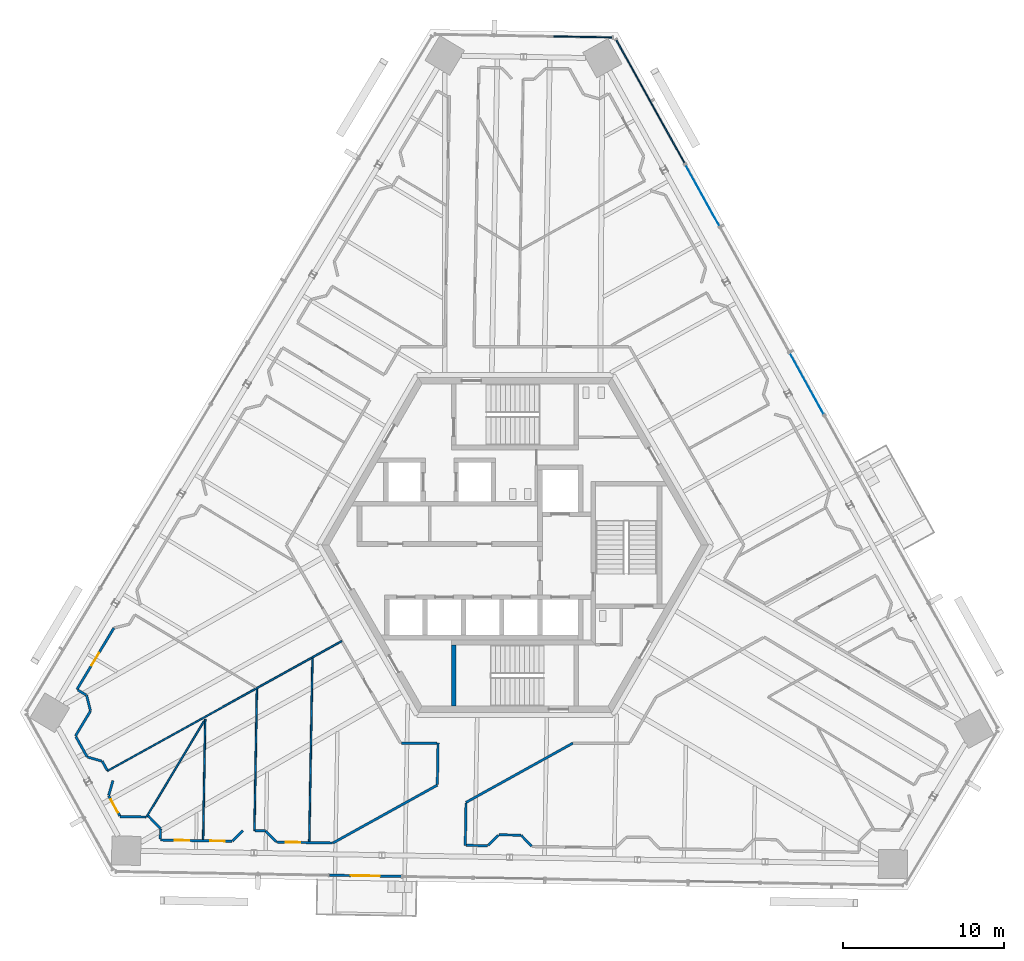
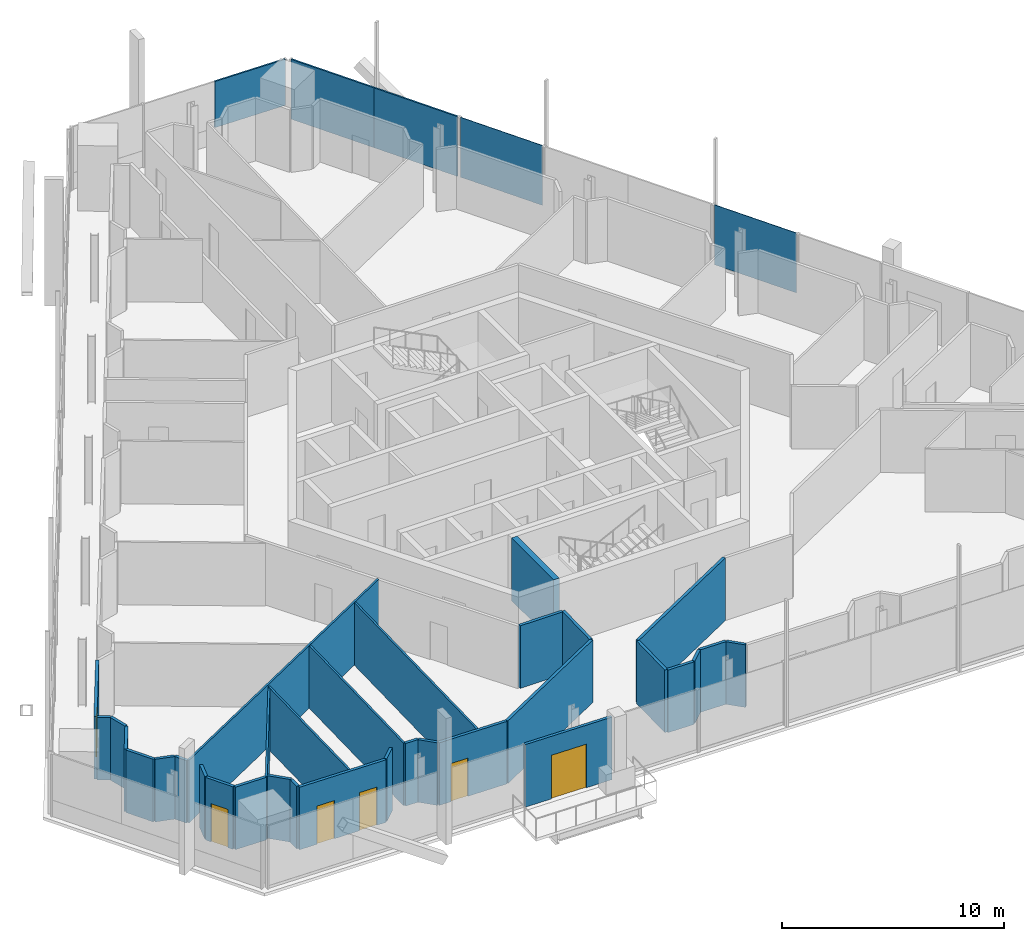
# One storey, part 11 of 22: 33 walls, 6 doors, 5 plates, 6 openings, 4 elements without a shape of their own.
"""IFC4 building model written with IfcOpenShell, lengths in metres."""

import ifcopenshell
import ifcopenshell.guid

model = None  # the IFC model being written
_history = None  # IfcOwnerHistory: only IFC2X3 demands one
_inside = {}  # id of a spatial element -> (the spatial element, [elements in it])
_under = {}  # id of a project, library or spatial element -> (it, [spatial elements below it])
_declared = {}  # id of a project -> (the project, [libraries it declares])
_typed = {}  # id of a type object -> (the type object, [elements of that type])
_made_of = {}  # id of a material, layer set ... -> (it, [elements and type objects made of it])


def new_model(schema):
    """Start an empty IFC model of exactly this schema.

    Asked for "IFC4X3", IfcOpenShell would pick the latest addendum, in which some entities
    have other attributes; the version numbers below select the first issue.
    IFC2X3 requires an IfcOwnerHistory on every rooted entity: one is made here for all.
    """
    global model, _history
    if schema == "IFC4X3":
        model = ifcopenshell.file(schema_version=(4, 3, 0, 0))
    else:
        model = ifcopenshell.file(schema=schema)
    _inside.clear()
    _under.clear()
    _declared.clear()
    _typed.clear()
    _made_of.clear()
    _history = None
    if model.schema == "IFC2X3":
        org = make("IfcOrganization", Name="unknown")
        user = make(
            "IfcPersonAndOrganization",
            ThePerson=make("IfcPerson", FamilyName="unknown"),
            TheOrganization=org,
        )
        app = make(
            "IfcApplication",
            ApplicationDeveloper=org,
            Version="unknown",
            ApplicationFullName="unknown",
            ApplicationIdentifier="unknown",
        )
        _history = make(
            "IfcOwnerHistory",
            OwningUser=user,
            OwningApplication=app,
            ChangeAction="ADDED",
            CreationDate=0,
        )
    return model


def make(cls, **values):
    """One entity of the class cls with the attributes given. An attribute that is None is left unset."""
    return model.create_entity(
        cls, **{name: value for name, value in values.items() if value is not None}
    )


def rooted(cls, **values):
    """An entity with a GlobalId (a new one), such as an element, a storey or a relation."""
    return make(cls, GlobalId=ifcopenshell.guid.new(), OwnerHistory=_history, **values)


def si_unit(unit_type, name, prefix=None):
    """IfcSIUnit, for example si_unit("LENGTHUNIT", "METRE", prefix="MILLI")."""
    return make("IfcSIUnit", UnitType=unit_type, Prefix=prefix, Name=name)


def assignment(units):
    """IfcUnitAssignment: the units of a project."""
    return None if units is None else make("IfcUnitAssignment", Units=units)


def point(xyz):
    """IfcCartesianPoint."""
    return None if xyz is None else make("IfcCartesianPoint", Coordinates=xyz)


def direction(xyz):
    """IfcDirection."""
    return None if xyz is None else make("IfcDirection", DirectionRatios=xyz)


def frame(location, z_axis=None, x_axis=None):
    """IfcAxis2Placement3D, a coordinate frame: its origin and axes. An axis left out is left unset."""
    return make(
        "IfcAxis2Placement3D",
        Location=point(location),
        Axis=direction(z_axis),
        RefDirection=direction(x_axis),
    )


def frame_2d(location, x_axis=None):
    """IfcAxis2Placement2D, a coordinate frame in the plane: its origin and x axis."""
    return make(
        "IfcAxis2Placement2D", Location=point(location), RefDirection=direction(x_axis)
    )


def origin():
    """The frame at (0, 0, 0) with its axes left unset."""
    return frame((0.0, 0.0, 0.0))


def origin_2d():
    """The frame at (0, 0) in the plane with its x axis left unset."""
    return frame_2d((0.0, 0.0))


def place(relative_to, where):
    """IfcLocalPlacement: puts the frame where relative to a parent placement (None: the world)."""
    return make(
        "IfcLocalPlacement", PlacementRelTo=relative_to, RelativePlacement=where
    )


def context(
    kind, dimensions, precision=None, world=None, true_north=None, identifier=None
):
    """IfcGeometricRepresentationContext, for example the 3D "Model" context."""
    return make(
        "IfcGeometricRepresentationContext",
        ContextIdentifier=identifier,
        ContextType=kind,
        CoordinateSpaceDimension=dimensions,
        Precision=precision,
        WorldCoordinateSystem=world,
        TrueNorth=true_north,
    )


def subcontext(parent, identifier, kind, view, scale=None):
    """IfcGeometricRepresentationSubContext, for example "Body" below "Model"."""
    return make(
        "IfcGeometricRepresentationSubContext",
        ContextIdentifier=identifier,
        ContextType=kind,
        ParentContext=parent,
        TargetScale=scale,
        TargetView=view,
    )


def project(units=None, contexts=None):
    """IfcProject with its units and contexts."""
    return rooted(
        "IfcProject",
        Name="project",
        RepresentationContexts=contexts,
        UnitsInContext=assignment(units),
    )


def spatial(cls, under=None, at=None, **own):
    """A site, building, storey or space (cls), placed at a placement, below another one or the project."""
    s = rooted(cls, ObjectPlacement=at, **own)
    if under is not None:
        _under.setdefault(under.id(), (under, []))[1].append(s)
    return s


def polyline(points):
    """IfcPolyline through the points."""
    return make("IfcPolyline", Points=[point(p) for p in points])


def profile(cls, at=None, kind="AREA", **sizes):
    """A parametric profile (cls). Its sizes go by their IFC names, for example OverallWidth=200.0."""
    return make(cls, ProfileType=kind, Position=at, **sizes)


def rectangle(**sizes):
    """IfcRectangleProfileDef."""
    return profile("IfcRectangleProfileDef", **sizes)


def outline(outer, holes=None, kind="AREA"):
    """IfcArbitraryClosedProfileDef: a profile drawn as a closed curve; with holes, ...WithVoids."""
    if holes is None:
        return make("IfcArbitraryClosedProfileDef", ProfileType=kind, OuterCurve=outer)
    return make(
        "IfcArbitraryProfileDefWithVoids",
        ProfileType=kind,
        OuterCurve=outer,
        InnerCurves=holes,
    )


def extrude(swept, where, along, depth):
    """IfcExtrudedAreaSolid: the profile swept, set in the frame where, extruded along a direction by depth."""
    return make(
        "IfcExtrudedAreaSolid",
        SweptArea=swept,
        Position=where,
        ExtrudedDirection=direction(along),
        Depth=depth,
    )


def shape(context_of_items, identifier, shape_type, items):
    """IfcShapeRepresentation: the items that make up one representation, for example the "Body"."""
    return make(
        "IfcShapeRepresentation",
        ContextOfItems=context_of_items,
        RepresentationIdentifier=identifier,
        RepresentationType=shape_type,
        Items=items,
    )


def source(mapping_origin, context_of_items, identifier, shape_type, items):
    """IfcRepresentationMap: a shape defined once, which mapped items show again and again."""
    return make(
        "IfcRepresentationMap",
        MappingOrigin=mapping_origin,
        MappedRepresentation=shape(context_of_items, identifier, shape_type, items),
    )


def transform(
    local_origin,
    x_axis=None,
    y_axis=None,
    z_axis=None,
    scale=None,
    scale2=None,
    scale3=None,
    uniform=True,
):
    """IfcCartesianTransformationOperator3D, or its non-uniform kind. x_axis, y_axis, z_axis: its Axis1, 2, 3."""
    if uniform:
        return make(
            "IfcCartesianTransformationOperator3D",
            Axis1=direction(x_axis),
            Axis2=direction(y_axis),
            LocalOrigin=point(local_origin),
            Scale=scale,
            Axis3=direction(z_axis),
        )
    return make(
        "IfcCartesianTransformationOperator3DnonUniform",
        Axis1=direction(x_axis),
        Axis2=direction(y_axis),
        LocalOrigin=point(local_origin),
        Scale=scale,
        Axis3=direction(z_axis),
        Scale2=scale2,
        Scale3=scale3,
    )


def mapped(mapping_source, mapping_target):
    """IfcMappedItem: shows the shape of a source again, moved by a transform."""
    return make(
        "IfcMappedItem", MappingSource=mapping_source, MappingTarget=mapping_target
    )


def material(Name=None, Category=None):
    """IfcMaterial."""
    return make("IfcMaterial", Name=Name, Category=Category)


def layer(
    of_material, thickness, ventilated=None, Name=None, Category=None, Priority=None
):
    """IfcMaterialLayer: one layer of a wall or slab, of a material (None: an air gap)."""
    return make(
        "IfcMaterialLayer",
        Material=of_material,
        LayerThickness=thickness,
        IsVentilated=ventilated,
        Name=Name,
        Category=Category,
        Priority=Priority,
    )


def layer_set(layers, Name=None):
    """IfcMaterialLayerSet."""
    return make("IfcMaterialLayerSet", MaterialLayers=layers, LayerSetName=Name)


def made_of(thing, what):
    """Note that an element or type object is made of a material, layer set ...; save() writes the relation."""
    if what is not None:
        _made_of.setdefault(what.id(), (what, []))[1].append(thing)
    return thing


def type_object(cls, material=None, **own):
    """A type object (cls), such as IfcWallType, which elements share."""
    return made_of(rooted(cls, **own), material)


def element(
    cls,
    number,
    at=None,
    inside=None,
    cuts=None,
    type_object=None,
    material=None,
    context=None,
    identifier="Body",
    shape_type=None,
    held_by="IfcProductDefinitionShape",
    body=None,
    shapes=None,
    **own,
):
    """One element of the class cls, such as IfcWall. Its Tag is "e" and its number.

    at: its placement. inside: the storey or other place that contains it. cuts: it is an
    opening in that element (IfcRelVoidsElement). A single representation is given by context,
    identifier, shape_type and body (its items); several are given by shapes. held_by: the class
    of the entity that holds the representations. save() writes the other relations.
    """
    e = rooted(cls, Tag="e%d" % number, ObjectPlacement=at, **own)
    if body is not None:
        shapes = [shape(context, identifier, shape_type, body)]
    if shapes is not None:
        e.Representation = make(held_by, Representations=shapes)
    if inside is not None:
        _inside.setdefault(inside.id(), (inside, []))[1].append(e)
    if cuts is not None:
        rooted(
            "IfcRelVoidsElement", RelatingBuildingElement=cuts, RelatedOpeningElement=e
        )
    if type_object is not None:
        _typed.setdefault(type_object.id(), (type_object, []))[1].append(e)
    return made_of(e, material)


def fill(opening, filler):
    """IfcRelFillsElement: the door or window that sits in an opening."""
    return rooted(
        "IfcRelFillsElement",
        RelatingOpeningElement=opening,
        RelatedBuildingElement=filler,
    )


def aggregate(whole, parts):
    """IfcRelAggregates: a whole, such as a stair, and the parts it consists of."""
    return rooted("IfcRelAggregates", RelatingObject=whole, RelatedObjects=parts)


def save(model, path):
    """Write the relations noted so far, then the file.

    IfcRelAggregates (storeys below a building ...), IfcRelContainedInSpatialStructure (elements
    in a storey), IfcRelDefinesByType, IfcRelAssociatesMaterial and IfcRelDeclares: one each for
    every whole, place, type object, material and project.
    """
    for whole, parts in _under.values():
        aggregate(whole, parts)
    for where, things in _inside.values():
        rooted(
            "IfcRelContainedInSpatialStructure",
            RelatedElements=things,
            RelatingStructure=where,
        )
    for kind, things in _typed.values():
        rooted("IfcRelDefinesByType", RelatedObjects=things, RelatingType=kind)
    for what, things in _made_of.values():
        rooted("IfcRelAssociatesMaterial", RelatedObjects=things, RelatingMaterial=what)
    for by, libraries in _declared.values():
        rooted("IfcRelDeclares", RelatingContext=by, RelatedDefinitions=libraries)
    model.write(path)


model = new_model("IFC4")

# Units and contexts
model_context = context("Model", 3, precision=1e-05, world=origin(), true_north=direction((0.0, 1.0)))
body_context = subcontext(model_context, "Body", "Model", "MODEL_VIEW")
ifc_project = project(units=[si_unit("LENGTHUNIT", "METRE"), si_unit("AREAUNIT", "SQUARE_METRE"), si_unit("VOLUMEUNIT", "CUBIC_METRE"), si_unit("PLANEANGLEUNIT", "RADIAN"), si_unit("MASSUNIT", "GRAM", prefix="KILO")], contexts=[model_context])

# Site, building, storey
site_placement = place(None, origin())
site = spatial("IfcSite", under=ifc_project, at=site_placement, CompositionType="ELEMENT")
building_placement = place(site_placement, origin())
building = spatial("IfcBuilding", under=site, at=building_placement, Name="Triune Harvest Tower", CompositionType="ELEMENT")
storey_placement = place(building_placement, frame((0.0, 0.0, 208.699951171875)))
storey = spatial("IfcBuildingStorey", under=building, at=storey_placement, Name="L54", CompositionType="ELEMENT", Elevation=208.699951171875)

# Curtain wall, plate
ifc_material_1 = material(Name="Aluminium bronze anodised", Category="aluminium")
curtain_wall_type_1 = type_object("IfcCurtainWallType", Name="CW-6 Balcony window wall", PredefinedType="NOTDEFINED", material=ifc_material_1)
curtain_wall_1_placement = place(storey_placement, origin())
curtain_wall_1 = element("IfcCurtainWall", 1, at=curtain_wall_1_placement, inside=storey, type_object=curtain_wall_type_1, Name="CW-6 B5-F1 L54 run 1002")
ifc_material_2 = material(Name="Glass", Category="glass")
ifc_layer_1 = layer(ifc_material_2, 0.030029296875)
ifc_layer_set_1 = layer_set([ifc_layer_1], Name="Glass")
plate_type_1 = type_object("IfcPlateType", Name="GL-6 panel 30", PredefinedType="CURTAIN_PANEL", material=ifc_layer_set_1)
shared_shape_1 = source(origin(), body_context, "Body", "SweptSolid", [
    extrude(rectangle(XDim=4.2978515625, YDim=0.030029296875, at=origin_2d()), origin(), (0.0, 0.0, 1.0), 3.2900390625),
])
plate_1_placement = place(storey_placement, frame((18.093994140625, 10.007568359375, 0.150146484375), z_axis=(0.0, 0.0, 1.0), x_axis=(-0.484823784769, 0.874611855466, 0.0)))
plate_1 = element("IfcPlate", 2, at=plate_1_placement, type_object=plate_type_1, Name="CW-6 panel B5-F1 1002.1", PredefinedType="CURTAIN_PANEL", context=body_context, shape_type="MappedRepresentation", body=[
    mapped(shared_shape_1, transform((0.0, 0.0, 0.0), scale=1.0)),
])
aggregate(curtain_wall_1, [plate_1])

curtain_wall_2_placement = place(storey_placement, origin())
curtain_wall_2 = element("IfcCurtainWall", 3, at=curtain_wall_2_placement, inside=storey, type_object=curtain_wall_type_1, Name="CW-6 B5-F1 L54 run 3002")
plate_2_placement = place(storey_placement, frame((11.625, 21.677734375, 0.150146484375), z_axis=(0.0, 0.0, 1.0), x_axis=(-0.484806586189, 0.874621388938, 0.0)))
plate_2 = element("IfcPlate", 4, at=plate_2_placement, type_object=plate_type_1, Name="CW-6 panel B5-F1 3002.1", PredefinedType="CURTAIN_PANEL", context=body_context, shape_type="MappedRepresentation", body=[
    mapped(shared_shape_1, transform((0.0, 0.0, 0.0), scale=1.0)),
])
aggregate(curtain_wall_2, [plate_2])

# Curtain wall, plates
ifc_material_3 = material(Name="Aluminium bronze anodised", Category="aluminium")
curtain_wall_type_2 = type_object("IfcCurtainWallType", Name="CW-10 Balcony window wall with insulated spandrel infill", PredefinedType="NOTDEFINED", material=ifc_material_3)
curtain_wall_3_placement = place(storey_placement, origin())
curtain_wall_3 = element("IfcCurtainWall", 5, at=curtain_wall_3_placement, inside=storey, type_object=curtain_wall_type_2, Name="CW-10 B5-F1 L54 run 4002")
ifc_material_4 = material(Name="Insulated spandrel panel, bronze aluminium pan", Category="aluminium")
ifc_layer_2 = layer(ifc_material_4, 0.080078125)
ifc_layer_set_2 = layer_set([ifc_layer_2], Name="Insulated spandrel panel, bronze aluminium pan")
plate_type_2 = type_object("IfcPlateType", Name="SP-1 insulated spandrel panel 80", PredefinedType="CURTAIN_PANEL", material=ifc_layer_set_2)
shared_shape_2 = source(origin(), body_context, "Body", "SweptSolid", [
    extrude(rectangle(XDim=4.372802734375, YDim=0.080078125, at=origin_2d()), origin(), (0.0, 0.0, 1.0), 3.2900390625),
])
plate_3_placement = place(storey_placement, frame((9.450439453125, 25.600830078125, 0.150146484375), z_axis=(0.0, 0.0, 1.0), x_axis=(-0.484808356014, 0.874620407913, 0.0)))
plate_3 = element("IfcPlate", 6, at=plate_3_placement, type_object=plate_type_2, Name="CW-10 panel B5-F1 4002.1", PredefinedType="CURTAIN_PANEL", context=body_context, shape_type="MappedRepresentation", body=[
    mapped(shared_shape_2, transform((0.0, 0.0, 0.0), scale=1.0)),
])
plate_4_placement = place(storey_placement, frame((7.33056640625, 29.42529296875, 0.150146484375), z_axis=(0.0, 0.0, 1.0), x_axis=(-0.484808356014, 0.874620407913, 0.0)))
plate_4 = element("IfcPlate", 7, at=plate_4_placement, type_object=plate_type_2, Name="CW-10 panel B5-F1 4002.2", PredefinedType="CURTAIN_PANEL", context=body_context, shape_type="MappedRepresentation", body=[
    mapped(shared_shape_2, transform((0.0, 0.0, 0.0), scale=1.0)),
])
aggregate(curtain_wall_3, [plate_3, plate_4])

# Curtain wall, plate
ifc_material_5 = material(Name="Aluminium bronze anodised", Category="aluminium")
curtain_wall_type_3 = type_object("IfcCurtainWallType", Name="CW-7 Tower stick curtain wall with insulated spandrel infill", PredefinedType="NOTDEFINED", material=ifc_material_5)
curtain_wall_4_placement = place(storey_placement, origin())
curtain_wall_4 = element("IfcCurtainWall", 8, at=curtain_wall_4_placement, inside=storey, type_object=curtain_wall_type_3, Name="CW-7 B5-F2 L54 run 1")
shared_shape_3 = source(origin(), body_context, "Body", "SweptSolid", [
    extrude(rectangle(XDim=3.625, YDim=0.080078125, at=origin_2d()), origin(), (0.0, 0.0, 1.0), 2.5400390625),
])
plate_5_placement = place(storey_placement, frame((4.213134765625, 31.516357421875, 0.900146484375), z_axis=(0.0, 0.0, 1.0), x_axis=(-0.999847801404, 0.017446318452, 0.0)))
plate_5 = element("IfcPlate", 9, at=plate_5_placement, type_object=plate_type_2, Name="CW-7 panel B5-F2 1.1", PredefinedType="CURTAIN_PANEL", context=body_context, shape_type="MappedRepresentation", body=[
    mapped(shared_shape_3, transform((0.0, 0.0, 0.0), scale=1.0)),
])
aggregate(curtain_wall_4, [plate_5])

# Walls
ifc_material_6 = material(Name="Gypsum board on steel studs", Category="steel")
ifc_layer_3 = layer(ifc_material_6, 0.14990234375)
ifc_layer_set_3 = layer_set([ifc_layer_3], Name="Gypsum board on steel studs")
wall_type_1 = type_object("IfcWallType", Name="Fire Partition 150 mm", PredefinedType="PARTITIONING", material=ifc_layer_set_3)
wall_1_placement = place(storey_placement, frame((-25.605712890625, -13.409912109375, 0.0), z_axis=(0.0, 0.0, 1.0), x_axis=(0.485069483638, -0.874475612034, 0.0)))
element("IfcWall", 10, at=wall_1_placement, inside=storey, type_object=wall_type_1, Name="Partition L54 010", PredefinedType="PARTITIONING", context=body_context, shape_type="SweptSolid", body=[
    extrude(rectangle(XDim=0.65087890625, YDim=0.14990234375, at=frame_2d((0.325439453125, 0.0))), origin(), (0.0, 0.0, 1.0), 3.43994140625),
])
wall_2_placement = place(storey_placement, frame((-22.76025390625, -16.7939453125, 0.0), z_axis=(0.0, 0.0, 1.0), x_axis=(0.694606255997, -0.719390123041, 0.0)))
element("IfcWall", 11, at=wall_2_placement, inside=storey, type_object=wall_type_1, Name="Partition L54 029", PredefinedType="PARTITIONING", context=body_context, shape_type="SweptSolid", body=[
    extrude(rectangle(XDim=1.113037109375, YDim=0.14990234375, at=frame_2d((0.556640625, 0.0))), origin(), (0.0, 0.0, 1.0), 3.43994140625),
])
wall_3_placement = place(storey_placement, frame((-27.122314453125, -8.9921875, 0.0), z_axis=(0.0, 0.0, 1.0), x_axis=(0.857246100398, -0.514906907462, 0.0)))
element("IfcWall", 12, at=wall_3_placement, inside=storey, type_object=wall_type_1, Name="Partition L54 035", PredefinedType="PARTITIONING", context=body_context, shape_type="SweptSolid", body=[
    extrude(rectangle(XDim=0.611083984375, YDim=0.14990234375, at=frame_2d((0.3056640625, 0.0))), origin(), (0.0, 0.0, 1.0), 3.43994140625),
])

# Wall, opening, door
wall_4_placement = place(storey_placement, frame((-14.805419921875, -18.42138671875, 0.0), z_axis=(0.0, 0.0, 1.0), x_axis=(0.999846916284, -0.017496971096, 0.0)))
wall_4 = element("IfcWall", 13, at=wall_4_placement, inside=storey, type_object=wall_type_1, Name="Partition L54 057", PredefinedType="PARTITIONING", context=body_context, shape_type="SweptSolid", body=[
    extrude(rectangle(XDim=3.48828125, YDim=0.14990234375, at=frame_2d((1.744140625, 0.0))), origin(), (0.0, 0.0, 1.0), 3.43994140625),
])
opening_1_placement = place(wall_4_placement, frame((0.59033203125, 0.0, 0.0)))
opening_1 = element("IfcOpeningElement", 14, at=opening_1_placement, cuts=wall_4, Name="Opening L54-021", PredefinedType="OPENING", context=body_context, shape_type="SweptSolid", body=[
    extrude(rectangle(XDim=0.89990234375, YDim=2.10009765625, at=frame_2d((0.449951171875, 1.050048828125))), frame((0.0, 0.0849609375, 0.0), z_axis=(0.0, -1.0, 0.0), x_axis=(1.0, 0.0, 0.0)), (0.0, 0.0, 1.0), 0.169921875),
])
ifc_material_7 = material(Name="Timber and steel door set", Category="steel")
door_type_1 = type_object("IfcDoorType", Name="Single leaf door FD30 left hand 900 x 2100", OperationType="SINGLE_SWING_LEFT", PredefinedType="DOOR", material=ifc_material_7)
door_1_placement = place(opening_1_placement, origin())
door_1 = element("IfcDoor", 15, at=door_1_placement, inside=storey, type_object=door_type_1, Name="Door L54-021 Office 54.21", OperationType="SINGLE_SWING_LEFT", OverallHeight=2.10009765625, OverallWidth=0.89990234375, PredefinedType="DOOR", context=body_context, shape_type="SweptSolid", body=[
    extrude(rectangle(XDim=0.89990234375, YDim=2.10009765625, at=frame_2d((0.449951171875, 1.050048828125))), frame((0.0, 0.02490234375, 0.0), z_axis=(0.0, -1.0, 0.0), x_axis=(1.0, 0.0, 0.0)), (0.0, 0.0, 1.0), 0.050048828125),
])
fill(opening_1, door_1)

# Walls
wall_5_placement = place(storey_placement, frame((-3.026123046875, -18.626953125, 0.0), z_axis=(0.0, 0.0, 1.0), x_axis=(0.999847272017, -0.01747663125, 0.0)))
element("IfcWall", 16, at=wall_5_placement, inside=storey, type_object=wall_type_1, Name="Partition L54 058", PredefinedType="PARTITIONING", context=body_context, shape_type="SweptSolid", body=[
    extrude(rectangle(XDim=1.3271484375, YDim=0.14990234375, at=frame_2d((0.66357421875, 0.0))), origin(), (0.0, 0.0, 1.0), 3.43994140625),
])
wall_6_placement = place(storey_placement, frame((-7.056884765625, -12.292236328125, 0.0), z_axis=(0.0, 0.0, 1.0), x_axis=(1.0, 0.0, 0.0)))
element("IfcWall", 17, at=wall_6_placement, inside=storey, type_object=wall_type_1, Name="Partition L54 071", PredefinedType="PARTITIONING", context=body_context, shape_type="SweptSolid", body=[
    extrude(rectangle(XDim=2.220947265625, YDim=0.14990234375, at=frame_2d((1.1103515625, 0.0))), origin(), (0.0, 0.0, 1.0), 3.43994140625),
])
wall_7_placement = place(storey_placement, frame((-3.039794921875, -15.962890625, 0.0), z_axis=(0.0, 0.0, 1.0), x_axis=(0.874628361903, 0.484794006312, 0.0)))
element("IfcWall", 18, at=wall_7_placement, inside=storey, type_object=wall_type_1, Name="Partition L54 084", PredefinedType="PARTITIONING", context=body_context, shape_type="SweptSolid", body=[
    extrude(rectangle(XDim=7.571533203125, YDim=0.14990234375, at=frame_2d((3.78564453125, 0.0))), origin(), (0.0, 0.0, 1.0), 3.43994140625),
])
wall_8_placement = place(storey_placement, frame((-11.298095703125, -18.482666015625, 0.0), z_axis=(0.0, 0.0, 1.0), x_axis=(0.874623409241, 0.484802941418, 0.0)))
element("IfcWall", 19, at=wall_8_placement, inside=storey, type_object=wall_type_1, Name="Partition L54 087", PredefinedType="PARTITIONING", context=body_context, shape_type="SweptSolid", body=[
    extrude(rectangle(XDim=7.4052734375, YDim=0.14990234375, at=frame_2d((3.70263671875, 0.0))), origin(), (0.0, 0.0, 1.0), 3.43994140625),
])
wall_9_placement = place(storey_placement, frame((-3.086181640625, -18.626220703125, 0.0), z_axis=(0.0, 0.0, 1.0), x_axis=(0.017467439266, 0.999847432644, 0.0)))
element("IfcWall", 20, at=wall_9_placement, inside=storey, type_object=wall_type_1, Name="Partition L54 130", PredefinedType="PARTITIONING", context=body_context, shape_type="SweptSolid", body=[
    extrude(rectangle(XDim=2.61376953125, YDim=0.14990234375, at=frame_2d((1.306884765625, 0.0))), origin(), (0.0, 0.0, 1.0), 3.43994140625),
])
wall_10_placement = place(storey_placement, frame((-4.8203125, -14.842529296875, 0.0), z_axis=(0.0, 0.0, 1.0), x_axis=(0.017420293169, 0.99984825518, 0.0)))
element("IfcWall", 21, at=wall_10_placement, inside=storey, type_object=wall_type_1, Name="Partition L54 132", PredefinedType="PARTITIONING", context=body_context, shape_type="SweptSolid", body=[
    extrude(rectangle(XDim=2.55078125, YDim=0.14990234375, at=frame_2d((1.275390625, 0.0))), origin(), (0.0, 0.0, 1.0), 3.43994140625),
])
wall_11_placement = place(storey_placement, frame((-21.998291015625, -18.245849609375, 0.0), z_axis=(0.0, 0.0, 1.0), x_axis=(0.017293011182, 0.999850464702, 0.0)))
element("IfcWall", 22, at=wall_11_placement, inside=storey, type_object=wall_type_1, Name="Partition L54 137", PredefinedType="PARTITIONING", context=body_context, shape_type="SweptSolid", body=[
    extrude(rectangle(XDim=0.62109375, YDim=0.14990234375, at=frame_2d((0.310546875, 0.0))), origin(), (0.0, 0.0, 1.0), 3.43994140625),
])
ifc_material_8 = material(Name="Gypsum board on steel studs", Category="steel")
ifc_layer_4 = layer(ifc_material_8, 0.10009765625)
ifc_layer_set_4 = layer_set([ifc_layer_4], Name="Gypsum board on steel studs")
wall_type_2 = type_object("IfcWallType", Name="Partition 100 mm", PredefinedType="PARTITIONING", material=ifc_layer_set_4)
wall_12_placement = place(storey_placement, frame((-25.273193359375, -14.00927734375, 0.0), z_axis=(0.0, 0.0, 1.0), x_axis=(0.874620238052, 0.484808662454, 0.0)))
element("IfcWall", 23, at=wall_12_placement, inside=storey, type_object=wall_type_2, Name="Partition L54 090", PredefinedType="PARTITIONING", context=body_context, shape_type="SweptSolid", body=[
    extrude(rectangle(XDim=16.60205078125, YDim=0.10009765625, at=frame_2d((8.301025390625, 0.0))), origin(), (0.0, 0.0, 1.0), 3.43994140625),
])
wall_13_placement = place(storey_placement, frame((-22.8642578125, -16.873291015625, 0.0), z_axis=(0.0, 0.0, 1.0), x_axis=(0.515034325562, 0.857169553526, 0.0)))
element("IfcWall", 24, at=wall_13_placement, inside=storey, type_object=wall_type_2, Name="Partition L54 104", PredefinedType="PARTITIONING", context=body_context, shape_type="SweptSolid", body=[
    extrude(rectangle(XDim=6.931640625, YDim=0.10009765625, at=frame_2d((3.4658203125, 0.0))), origin(), (0.0, 0.0, 1.0), 3.43994140625),
])
wall_14_placement = place(storey_placement, frame((-12.765380859375, -18.45703125, 0.0), z_axis=(0.0, 0.0, 1.0), x_axis=(0.017459826895, 0.999847565604, 0.0)))
element("IfcWall", 25, at=wall_14_placement, inside=storey, type_object=wall_type_2, Name="Partition L54 134", PredefinedType="PARTITIONING", context=body_context, shape_type="SweptSolid", body=[
    extrude(rectangle(XDim=11.424072265625, YDim=0.10009765625, at=frame_2d((5.7119140625, 0.0))), origin(), (0.0, 0.0, 1.0), 3.43994140625),
])
wall_15_placement = place(storey_placement, frame((-19.348388671875, -18.34228515625, 0.0), z_axis=(0.0, 0.0, 1.0), x_axis=(0.01745143994, 0.999847712026, 0.0)))
element("IfcWall", 26, at=wall_15_placement, inside=storey, type_object=wall_type_2, Name="Partition L54 136", PredefinedType="PARTITIONING", context=body_context, shape_type="SweptSolid", body=[
    extrude(rectangle(XDim=7.54052734375, YDim=0.10009765625, at=frame_2d((3.770263671875, 0.0))), origin(), (0.0, 0.0, 1.0), 3.43994140625),
])
ifc_material_9 = material(Name="Concrete 70 MPa", Category="concrete")
ifc_layer_5 = layer(ifc_material_9, 0.300048828125)
ifc_layer_set_5 = layer_set([ifc_layer_5], Name="Concrete 70 MPa")
wall_type_3 = type_object("IfcWallType", Name="Core wall 300", PredefinedType="SHEAR", material=ifc_layer_set_5)
shared_shape_4 = source(origin(), body_context, "Body", "SweptSolid", [
    extrude(outline(polyline([(3.800048828125, -0.14990234375), (-0.00439453125, -0.14990234375), (-0.00439453125, 0.14990234375), (3.800048828125, 0.14990234375), (3.800048828125, -0.14990234375)])), origin(), (0.0, 0.0, 1.0), 3.43994140625),
])
wall_16_placement = place(storey_placement, frame((-3.800048828125, -9.989990234375, 0.0), z_axis=(0.0, 0.0, 1.0), x_axis=(0.0, 1.0, 0.0)))
element("IfcWall", 27, at=wall_16_placement, inside=storey, type_object=wall_type_3, Name="Stair s west wall", PredefinedType="SHEAR", context=body_context, shape_type="MappedRepresentation", body=[
    mapped(shared_shape_4, transform((0.0, 0.0, 0.0), scale=1.0)),
])

# Wall, opening, door
ifc_material_10 = material(Name="Aluminium bronze anodised", Category="aluminium")
ifc_layer_6 = layer(ifc_material_10, 0.14990234375)
ifc_layer_set_6 = layer_set([ifc_layer_6], Name="Aluminium bronze anodised")
wall_type_4 = type_object("IfcWallType", Name="WW-2 balcony window wall", PredefinedType="ELEMENTEDWALL", material=ifc_layer_set_6)
shared_shape_5 = source(origin(), body_context, "Body", "SweptSolid", [
    extrude(rectangle(XDim=4.460693359375, YDim=0.14990234375, at=frame_2d((2.23046875, 0.0))), origin(), (0.0, 0.0, 1.0), 3.43994140625),
])
wall_17_placement = place(storey_placement, frame((-7.05078125, -20.55712890625, 0.0), z_axis=(0.0, 0.0, 1.0), x_axis=(-0.999847570138, 0.017459567269, 0.0)))
wall_17 = element("IfcWall", 28, at=wall_17_placement, inside=storey, type_object=wall_type_4, Name="WW-2 B5-F5 L54.4", PredefinedType="ELEMENTEDWALL", context=body_context, shape_type="MappedRepresentation", body=[
    mapped(shared_shape_5, transform((0.0, 0.0, 0.0), scale=1.0)),
])
opening_2_placement = place(wall_17_placement, frame((1.330322265625, 0.0, 0.0)))
opening_2 = element("IfcOpeningElement", 29, at=opening_2_placement, cuts=wall_17, Name="Opening L54-E02", PredefinedType="OPENING", context=body_context, shape_type="SweptSolid", body=[
    extrude(rectangle(XDim=1.800048828125, YDim=2.39990234375, at=frame_2d((0.89990234375, 1.199951171875))), frame((0.0, 0.0849609375, 0.0), z_axis=(0.0, -1.0, 0.0), x_axis=(1.0, 0.0, 0.0)), (0.0, 0.0, 1.0), 0.169921875),
])
ifc_material_11 = material(Name="Glass", Category="glass")
door_type_2 = type_object("IfcDoorType", Name="DB-1 balcony door 1800 x 2400", OperationType="DOUBLE_DOOR_SINGLE_SWING", PredefinedType="DOOR", material=ifc_material_11)
door_2_placement = place(opening_2_placement, origin())
door_2 = element("IfcDoor", 30, at=door_2_placement, inside=storey, type_object=door_type_2, Name="Door L54-E02", OperationType="DOUBLE_DOOR_SINGLE_SWING", OverallHeight=2.39990234375, OverallWidth=1.800048828125, PredefinedType="DOOR", context=body_context, shape_type="SweptSolid", body=[
    extrude(rectangle(XDim=1.800048828125, YDim=2.39990234375, at=frame_2d((0.89990234375, 1.199951171875))), frame((0.0, 0.02490234375, 0.0), z_axis=(0.0, -1.0, 0.0), x_axis=(1.0, 0.0, 0.0)), (0.0, 0.0, 1.0), 0.050048828125),
])
fill(opening_2, door_2)

# Walls
shared_shape_6 = source(origin(), body_context, "Body", "SweptSolid", [
    extrude(rectangle(XDim=0.96826171875, YDim=0.14990234375, at=frame_2d((0.484130859375, 0.0))), origin(), (0.0, 0.0, 1.0), 3.43994140625),
])
wall_18_placement = place(storey_placement, frame((-26.572509765625, -9.322509765625, 0.0), z_axis=(0.0, 0.0, 1.0), x_axis=(0.241823572266, -0.970320235745, 0.0)))
element("IfcWall", 31, at=wall_18_placement, inside=storey, type_object=wall_type_1, Name="Partition L54 001", PredefinedType="PARTITIONING", context=body_context, shape_type="MappedRepresentation", body=[
    mapped(shared_shape_6, transform((0.0, 0.0, 0.0), scale=1.0)),
])
shared_shape_7 = source(origin(), body_context, "Body", "SweptSolid", [
    extrude(rectangle(XDim=0.9140625, YDim=0.14990234375, at=frame_2d((0.45703125, 0.0))), origin(), (0.0, 0.0, 1.0), 3.43994140625),
])
for number, where, z_axis, x_axis, name in (
    (32, (-15.460693359375, -17.742431640625, 0.0), (0.0, 0.0, 1.0), (0.694713669559, -0.719286394511, 0.0), "Partition L54 030"),
    (33, (0.39111328125, -18.01904296875, 0.0), (0.0, 0.0, 1.0), (0.694713669559, -0.719286394511, 0.0), "Partition L54 031"),
    (34, (-26.5126953125, -13.150390625, 0.0), (0.0, 0.0, 1.0), (0.961332200512, -0.275391358357, 0.0), "Partition L54 049"),
    (35, (-1.677490234375, -18.62939453125, 0.0), (0.0, 0.0, 1.0), (0.719286394511, 0.694713669559, 0.0), "Partition L54 098"),
    (36, (-17.529541015625, -18.352783203125, 0.0), (0.0, 0.0, 1.0), (0.719286394511, 0.694713669559, 0.0), "Partition L54 099"),
):
    element("IfcWall", number, at=place(storey_placement, frame(where, z_axis=z_axis, x_axis=x_axis)), inside=storey, type_object=wall_type_1, Name=name, PredefinedType="PARTITIONING", context=body_context, shape_type="MappedRepresentation", body=[
        mapped(shared_shape_7, transform((0.0, 0.0, 0.0), scale=1.0)),
    ])
shared_shape_8 = source(origin(), body_context, "Body", "SweptSolid", [
    extrude(rectangle(XDim=1.437255859375, YDim=0.14990234375, at=frame_2d((0.71875, 0.0))), origin(), (0.0, 0.0, 1.0), 3.43994140625),
])
wall_19_placement = place(storey_placement, frame((-27.23876953125, -11.88427734375, 0.0), z_axis=(0.0, 0.0, 1.0), x_axis=(0.484791778739, -0.874629596611, 0.0)))
element("IfcWall", 37, at=wall_19_placement, inside=storey, type_object=wall_type_1, Name="Partition L54 008", PredefinedType="PARTITIONING", context=body_context, shape_type="MappedRepresentation", body=[
    mapped(shared_shape_8, transform((0.0, 0.0, 0.0), scale=1.0)),
])

# Wall, opening, door
wall_20_placement = place(storey_placement, frame((-25.20947265625, -15.544921875, 0.0), z_axis=(0.0, 0.0, 1.0), x_axis=(0.484791778739, -0.874629596611, 0.0)))
wall_20 = element("IfcWall", 38, at=wall_20_placement, inside=storey, type_object=wall_type_1, Name="Partition L54 009", PredefinedType="PARTITIONING", context=body_context, shape_type="MappedRepresentation", body=[
    mapped(shared_shape_8, transform((0.0, 0.0, 0.0), scale=1.0)),
])
opening_3_placement = place(wall_20_placement, frame((0.286376953125, 0.0, 0.0)))
opening_3 = element("IfcOpeningElement", 39, at=opening_3_placement, cuts=wall_20, Name="Opening L54-018", PredefinedType="OPENING", context=body_context, shape_type="SweptSolid", body=[
    extrude(rectangle(XDim=0.89990234375, YDim=2.10009765625, at=frame_2d((0.449951171875, 1.050048828125))), frame((0.0, 0.0849609375, 0.0), z_axis=(0.0, -1.0, 0.0), x_axis=(1.0, 0.0, 0.0)), (0.0, 0.0, 1.0), 0.169921875),
])
door_3_placement = place(opening_3_placement, origin())
door_3 = element("IfcDoor", 40, at=door_3_placement, inside=storey, type_object=door_type_1, Name="Door L54-018 Open Office 54.18", OperationType="SINGLE_SWING_LEFT", OverallHeight=2.10009765625, OverallWidth=0.89990234375, PredefinedType="DOOR", context=body_context, shape_type="SweptSolid", body=[
    extrude(rectangle(XDim=0.89990234375, YDim=2.10009765625, at=frame_2d((0.449951171875, 1.050048828125))), frame((0.0, 0.02490234375, 0.0), z_axis=(0.0, -1.0, 0.0), x_axis=(1.0, 0.0, 0.0)), (0.0, 0.0, 1.0), 0.050048828125),
])
fill(opening_3, door_3)

# Wall
shared_shape_9 = source(origin(), body_context, "Body", "SweptSolid", [
    extrude(rectangle(XDim=1.80859375, YDim=0.14990234375, at=frame_2d((0.904296875, 0.0))), origin(), (0.0, 0.0, 1.0), 3.43994140625),
])
wall_21_placement = place(storey_placement, frame((-27.2626953125, -11.84130859375, 0.0), z_axis=(0.0, 0.0, 1.0), x_axis=(0.515091139982, 0.857135413754, 0.0)))
element("IfcWall", 41, at=wall_21_placement, inside=storey, type_object=wall_type_1, Name="Partition L54 105", PredefinedType="PARTITIONING", context=body_context, shape_type="MappedRepresentation", body=[
    mapped(shared_shape_9, transform((0.0, 0.0, 0.0), scale=1.0)),
])

# Wall, openings, doors
shared_shape_10 = source(origin(), body_context, "Body", "SweptSolid", [
    extrude(rectangle(XDim=4.44873046875, YDim=0.14990234375, at=frame_2d((2.224365234375, 0.0))), origin(), (0.0, 0.0, 1.0), 3.43994140625),
])
wall_22_placement = place(storey_placement, frame((-21.999267578125, -18.2958984375, 0.0), z_axis=(0.0, 0.0, 1.0), x_axis=(0.999847708398, -0.0174516478, 0.0)))
wall_22 = element("IfcWall", 42, at=wall_22_placement, inside=storey, type_object=wall_type_1, Name="Partition L54 056", PredefinedType="PARTITIONING", context=body_context, shape_type="MappedRepresentation", body=[
    mapped(shared_shape_10, transform((0.0, 0.0, 0.0), scale=1.0)),
])
opening_4_placement = place(wall_22_placement, frame((0.9013671875, 0.0, 0.0)))
opening_4 = element("IfcOpeningElement", 43, at=opening_4_placement, cuts=wall_22, Name="Opening L54-019", PredefinedType="OPENING", context=body_context, shape_type="SweptSolid", body=[
    extrude(rectangle(XDim=0.89990234375, YDim=2.10009765625, at=frame_2d((0.449951171875, 1.050048828125))), frame((0.0, 0.0849609375, 0.0), z_axis=(0.0, -1.0, 0.0), x_axis=(1.0, 0.0, 0.0)), (0.0, 0.0, 1.0), 0.169921875),
])
opening_5_placement = place(wall_22_placement, frame((3.098876953125, 0.0, 0.0)))
opening_5 = element("IfcOpeningElement", 44, at=opening_5_placement, cuts=wall_22, Name="Opening L54-020", PredefinedType="OPENING", context=body_context, shape_type="SweptSolid", body=[
    extrude(rectangle(XDim=0.89990234375, YDim=2.10009765625, at=frame_2d((0.449951171875, 1.050048828125))), frame((0.0, 0.0849609375, 0.0), z_axis=(0.0, -1.0, 0.0), x_axis=(1.0, 0.0, 0.0)), (0.0, 0.0, 1.0), 0.169921875),
])
door_4_placement = place(opening_4_placement, origin())
door_4 = element("IfcDoor", 45, at=door_4_placement, inside=storey, type_object=door_type_1, Name="Door L54-019 Office 54.19", OperationType="SINGLE_SWING_LEFT", OverallHeight=2.10009765625, OverallWidth=0.89990234375, PredefinedType="DOOR", context=body_context, shape_type="SweptSolid", body=[
    extrude(rectangle(XDim=0.89990234375, YDim=2.10009765625, at=frame_2d((0.449951171875, 1.050048828125))), frame((0.0, 0.02490234375, 0.0), z_axis=(0.0, -1.0, 0.0), x_axis=(1.0, 0.0, 0.0)), (0.0, 0.0, 1.0), 0.050048828125),
])
fill(opening_4, door_4)
ifc_material_12 = material(Name="Timber and steel door set", Category="steel")
door_type_3 = type_object("IfcDoorType", Name="Single leaf door FD30 right hand 900 x 2100", OperationType="SINGLE_SWING_RIGHT", PredefinedType="DOOR", material=ifc_material_12)
door_5_placement = place(opening_5_placement, origin())
door_5 = element("IfcDoor", 46, at=door_5_placement, inside=storey, type_object=door_type_3, Name="Door L54-020 Office 54.20", OperationType="SINGLE_SWING_RIGHT", OverallHeight=2.10009765625, OverallWidth=0.89990234375, PredefinedType="DOOR", context=body_context, shape_type="SweptSolid", body=[
    extrude(rectangle(XDim=0.89990234375, YDim=2.10009765625, at=frame_2d((0.449951171875, 1.050048828125))), frame((0.0, 0.02490234375, 0.0), z_axis=(0.0, -1.0, 0.0), x_axis=(1.0, 0.0, 0.0)), (0.0, 0.0, 1.0), 0.050048828125),
])
fill(opening_5, door_5)

# Wall, opening, door
shared_shape_11 = source(origin(), body_context, "Body", "SweptSolid", [
    extrude(rectangle(XDim=4.448974609375, YDim=0.14990234375, at=frame_2d((2.224609375, 0.0))), origin(), (0.0, 0.0, 1.0), 3.43994140625),
])
wall_23_placement = place(storey_placement, frame((-27.173583984375, -8.96142578125, 0.0), z_axis=(0.0, 0.0, 1.0), x_axis=(0.515060537646, 0.857153803328, 0.0)))
wall_23 = element("IfcWall", 47, at=wall_23_placement, inside=storey, type_object=wall_type_1, Name="Partition L54 111", PredefinedType="PARTITIONING", context=body_context, shape_type="MappedRepresentation", body=[
    mapped(shared_shape_11, transform((0.0, 0.0, 0.0), scale=1.0)),
])
opening_6_placement = place(wall_23_placement, frame((1.75, 0.0, 0.0)))
opening_6 = element("IfcOpeningElement", 48, at=opening_6_placement, cuts=wall_23, Name="Opening L54-017", PredefinedType="OPENING", context=body_context, shape_type="SweptSolid", body=[
    extrude(rectangle(XDim=0.89990234375, YDim=2.10009765625, at=frame_2d((0.449951171875, 1.050048828125))), frame((0.0, 0.0849609375, 0.0), z_axis=(0.0, -1.0, 0.0), x_axis=(1.0, 0.0, 0.0)), (0.0, 0.0, 1.0), 0.169921875),
])
door_6_placement = place(opening_6_placement, origin())
door_6 = element("IfcDoor", 49, at=door_6_placement, inside=storey, type_object=door_type_3, Name="Door L54-017 Project Room 54.17", OperationType="SINGLE_SWING_RIGHT", OverallHeight=2.10009765625, OverallWidth=0.89990234375, PredefinedType="DOOR", context=body_context, shape_type="SweptSolid", body=[
    extrude(rectangle(XDim=0.89990234375, YDim=2.10009765625, at=frame_2d((0.449951171875, 1.050048828125))), frame((0.0, 0.02490234375, 0.0), z_axis=(0.0, -1.0, 0.0), x_axis=(1.0, 0.0, 0.0)), (0.0, 0.0, 1.0), 0.050048828125),
])
fill(opening_6, door_6)

# Walls
shared_shape_12 = source(origin(), body_context, "Body", "SweptSolid", [
    extrude(rectangle(XDim=0.658935546875, YDim=0.14990234375, at=frame_2d((0.32958984375, 0.0))), origin(), (0.0, 0.0, 1.0), 3.43994140625),
])
wall_24_placement = place(storey_placement, frame((-16.1396484375, -17.710205078125, 0.0), z_axis=(0.0, 0.0, 1.0), x_axis=(0.999848413267, -0.017411217274, 0.0)))
element("IfcWall", 50, at=wall_24_placement, inside=storey, type_object=wall_type_1, Name="Partition L54 062", PredefinedType="PARTITIONING", context=body_context, shape_type="MappedRepresentation", body=[
    mapped(shared_shape_12, transform((0.0, 0.0, 0.0), scale=1.0)),
])
shared_shape_13 = source(origin(), body_context, "Body", "SweptSolid", [
    extrude(rectangle(XDim=1.368896484375, YDim=0.14990234375, at=frame_2d((0.6845703125, 0.0))), origin(), (0.0, 0.0, 1.0), 3.43994140625),
])
wall_25_placement = place(storey_placement, frame((-0.998779296875, -17.97412109375, 0.0), z_axis=(0.0, 0.0, 1.0), x_axis=(0.999850338607, -0.017300300186, 0.0)))
element("IfcWall", 51, at=wall_25_placement, inside=storey, type_object=wall_type_1, Name="Partition L54 063", PredefinedType="PARTITIONING", context=body_context, shape_type="MappedRepresentation", body=[
    mapped(shared_shape_13, transform((0.0, 0.0, 0.0), scale=1.0)),
])
shared_shape_14 = source(origin(), body_context, "Body", "SweptSolid", [
    extrude(rectangle(XDim=1.60498046875, YDim=0.14990234375, at=frame_2d((0.802490234375, 0.0))), origin(), (0.0, 0.0, 1.0), 3.43994140625),
])
wall_26_placement = place(storey_placement, frame((-24.489501953125, -16.844482421875, 0.0), z_axis=(0.0, 0.0, 1.0), x_axis=(0.999846983336, -0.017493139066, 0.0)))
element("IfcWall", 52, at=wall_26_placement, inside=storey, type_object=wall_type_1, Name="Partition L54 066", PredefinedType="PARTITIONING", context=body_context, shape_type="MappedRepresentation", body=[
    mapped(shared_shape_14, transform((0.0, 0.0, 0.0), scale=1.0)),
])
shared_shape_15 = source(origin(), body_context, "Body", "SweptSolid", [
    extrude(rectangle(XDim=0.944091796875, YDim=0.14990234375, at=frame_2d((0.47216796875, 0.0))), origin(), (0.0, 0.0, 1.0), 3.43994140625),
])
wall_27_placement = place(storey_placement, frame((-25.20166015625, -15.515380859375, 0.0), z_axis=(0.0, 0.0, 1.0), x_axis=(0.275677357934, 0.961250224615, 0.0)))
element("IfcWall", 53, at=wall_27_placement, inside=storey, type_object=wall_type_1, Name="Partition L54 127", PredefinedType="PARTITIONING", context=body_context, shape_type="MappedRepresentation", body=[
    mapped(shared_shape_15, transform((0.0, 0.0, 0.0), scale=1.0)),
])
shared_shape_16 = source(origin(), body_context, "Body", "SweptSolid", [
    extrude(rectangle(XDim=8.7646484375, YDim=0.10009765625, at=frame_2d((4.38232421875, 0.0))), origin(), (0.0, 0.0, 1.0), 3.43994140625),
])
wall_28_placement = place(storey_placement, frame((-16.166015625, -17.708984375, 0.0), z_axis=(0.0, 0.0, 1.0), x_axis=(0.017464949646, 0.999847476135, 0.0)))
element("IfcWall", 54, at=wall_28_placement, inside=storey, type_object=wall_type_2, Name="Partition L54 135", PredefinedType="PARTITIONING", context=body_context, shape_type="MappedRepresentation", body=[
    mapped(shared_shape_16, transform((0.0, 0.0, 0.0), scale=1.0)),
])

save(model, "model.ifc")
